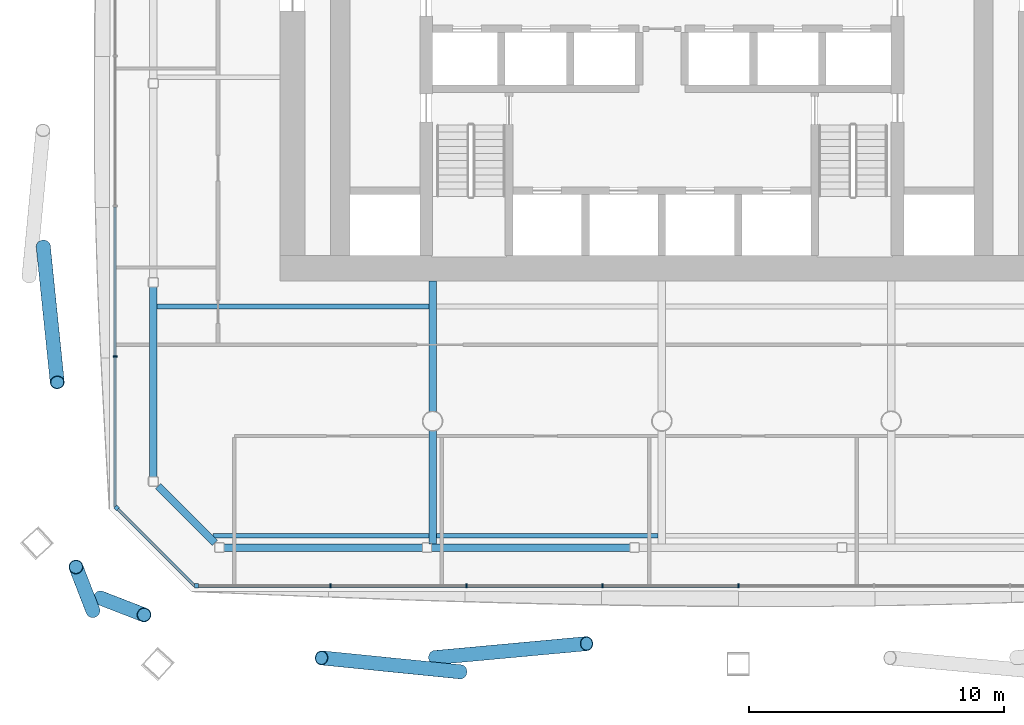
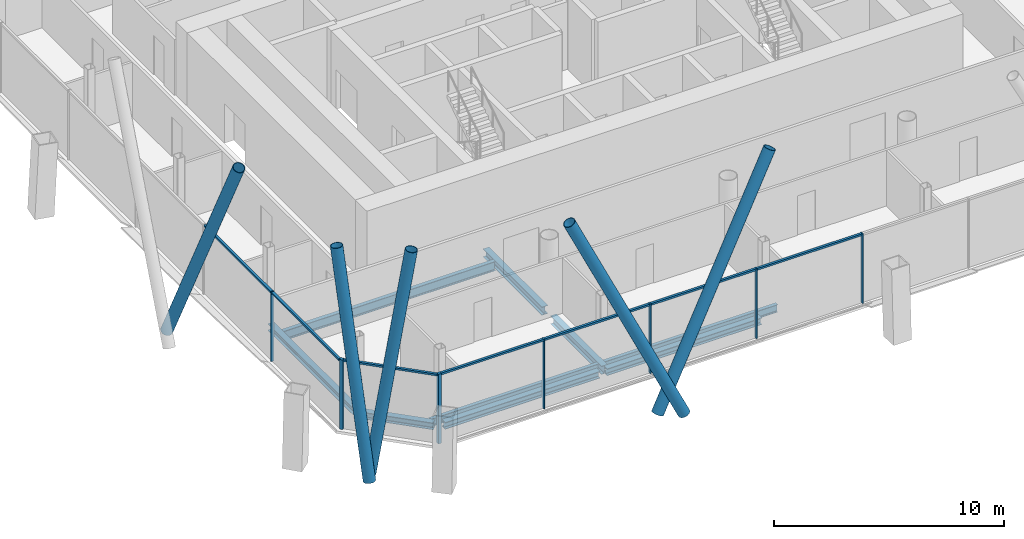
# One storey, part 3 of 22: 19 members, 9 beams, 3 elements without a shape of their own.
"""IFC4 building model written with IfcOpenShell, lengths in metres."""

from ifc_helpers import new_model, si_unit, direction, frame, origin, origin_2d, place, context, subcontext, project, spatial, rectangle, hollow_circle, i_section, extrude, material, material_profile, profile_set, type_object, element, aggregate, save


model = new_model("IFC4")

# Units and contexts
model_context = context("Model", 3, precision=1e-05, world=origin(), true_north=direction((0.0, 1.0)))
body_context = subcontext(model_context, "Body", "Model", "MODEL_VIEW")
ifc_project = project(units=[si_unit("LENGTHUNIT", "METRE"), si_unit("AREAUNIT", "SQUARE_METRE"), si_unit("VOLUMEUNIT", "CUBIC_METRE"), si_unit("PLANEANGLEUNIT", "RADIAN"), si_unit("MASSUNIT", "GRAM", prefix="KILO")], contexts=[model_context])

# Site, building, storey
site_placement = place(None, origin())
site = spatial("IfcSite", under=ifc_project, at=site_placement, CompositionType="ELEMENT")
building_placement = place(site_placement, origin())
building = spatial("IfcBuilding", under=site, at=building_placement, Name="Tskaro Facet Tower", CompositionType="ELEMENT")
storey_placement = place(building_placement, frame((0.0, 0.0, 85.5)))
storey = spatial("IfcBuildingStorey", under=building, at=storey_placement, Name="L20", CompositionType="ELEMENT", Elevation=85.5)

# Members
ifc_material_1 = material(Name="Steel S355J2H", Category="steel")
ifc_material_profile_1 = material_profile(ifc_material_1, hollow_circle(Radius=0.279541015625, WallThickness=0.02490234375, at=origin_2d()), Name="CHS 559x25")
ifc_profile_set_1 = profile_set([ifc_material_profile_1], Name="Steel S355J2H")
member_type_1 = type_object("IfcMemberType", Name="CHS 559x25 brace", PredefinedType="BRACE", material=ifc_profile_set_1)
member_1_placement = place(storey_placement, frame((-8.907958984375, -27.283447265625, 0.0), z_axis=(0.453138503043, 0.041696100415, 0.890464447505), x_axis=(-0.091629144375, 0.995793201373, 0.0)))
element("IfcMember", 1, at=member_1_placement, inside=storey, type_object=member_type_1, Name="CHS 559x25 XB01A/2", PredefinedType="BRACE", context=body_context, shape_type="SweptSolid", body=[
    extrude(hollow_circle(Radius=0.279541015625, WallThickness=0.02490234375, at=origin_2d()), origin(), (0.0, 0.0, 1.0), 13.13916015625),
])
member_2_placement = place(storey_placement, frame((-7.907470703125, -27.842529296875, 0.0), z_axis=(-0.422115796899, 0.042421324322, 0.905548830959), x_axis=(-0.099993210447, -0.994988119459, 0.0)))
element("IfcMember", 2, at=member_2_placement, inside=storey, type_object=member_type_1, Name="CHS 559x25 XB01B/2", PredefinedType="BRACE", context=body_context, shape_type="SweptSolid", body=[
    extrude(hollow_circle(Radius=0.279541015625, WallThickness=0.02490234375, at=origin_2d()), origin(), (0.0, 0.0, 1.0), 12.920166015625),
])
member_3_placement = place(storey_placement, frame((-24.283447265625, -11.146484375, 0.0), z_axis=(0.042567326105, -0.414462347628, 0.909070396145), x_axis=(0.994767210337, 0.102167495995, 0.0)))
element("IfcMember", 3, at=member_3_placement, inside=storey, type_object=member_type_1, Name="CHS 559x25 XB11A/2", PredefinedType="BRACE", context=body_context, shape_type="SweptSolid", body=[
    extrude(hollow_circle(Radius=0.279541015625, WallThickness=0.02490234375, at=origin_2d()), origin(), (0.0, 0.0, 1.0), 12.8701171875),
])
for number, where, z_axis, x_axis, name in (
    (4, (-22.039306640625, -24.94384765625, 0.0), (0.144468830784, -0.055969303022, 0.987925196587), (0.36125165478, 0.932468359741, 0.0), "CHS 559x25 XB12A/2"),
    (5, (-22.339111328125, -25.4345703125, 0.0), (-0.055969303022, 0.144468830784, 0.987925196587), (-0.932468359741, -0.36125165478, 0.0), "CHS 559x25 XB12B/2"),
):
    element("IfcMember", number, at=place(storey_placement, frame(where, z_axis=z_axis, x_axis=x_axis)), inside=storey, type_object=member_type_1, Name=name, PredefinedType="BRACE", context=body_context, shape_type="SweptSolid", body=[
        extrude(hollow_circle(Radius=0.279541015625, WallThickness=0.02490234375, at=origin_2d()), origin(), (0.0, 0.0, 1.0), 11.843017578125),
    ])

# Curtain wall, member
ifc_material_2 = material(Name="Bronze anodised aluminium 6063-T6", Category="aluminium")
curtain_wall_type = type_object("IfcCurtainWallType", Name="Bronze office curtain wall (FW1)", PredefinedType="NOTDEFINED", material=ifc_material_2)
curtain_wall_1_placement = place(storey_placement, origin())
curtain_wall_1 = element("IfcCurtainWall", 6, at=curtain_wall_1_placement, inside=storey, type_object=curtain_wall_type, Name="FW1 south facet L20", PredefinedType="NOTDEFINED")
ifc_material_profile_2 = material_profile(ifc_material_2, rectangle(XDim=0.159912109375, YDim=0.159912109375, at=origin_2d()), Name="Corner post 160x160")
ifc_profile_set_2 = profile_set([ifc_material_profile_2], Name="Bronze anodised aluminium 6063-T6")
member_type_2 = type_object("IfcMemberType", Name="FW1 bronze corner post 160x160", PredefinedType="MULLION", material=ifc_profile_set_2)
member_4_placement = place(storey_placement, frame((-18.26806640625, -24.462890625, 0.0), z_axis=(0.0, 0.0, 1.0), x_axis=(1.0, 0.0, 0.0)))
member_4 = element("IfcMember", 7, at=member_4_placement, type_object=member_type_2, Name="FW1 south corner post", PredefinedType="MULLION", context=body_context, shape_type="SweptSolid", body=[
    extrude(rectangle(XDim=0.159912109375, YDim=0.159912109375, at=origin_2d()), origin(), (0.0, 0.0, 1.0), 3.699951171875),
])

curtain_wall_2_placement = place(storey_placement, origin())
curtain_wall_2 = element("IfcCurtainWall", 8, at=curtain_wall_2_placement, inside=storey, type_object=curtain_wall_type, Name="FW1 south-west facet L20", PredefinedType="NOTDEFINED")
member_5_placement = place(storey_placement, frame((-21.406494140625, -21.404541015625, 0.0), z_axis=(0.0, 0.0, 1.0), x_axis=(0.707106781187, -0.707106781187, 0.0)))
member_5 = element("IfcMember", 9, at=member_5_placement, type_object=member_type_2, Name="FW1 south-west corner post", PredefinedType="MULLION", context=body_context, shape_type="SweptSolid", body=[
    extrude(rectangle(XDim=0.159912109375, YDim=0.159912109375, at=origin_2d()), origin(), (0.0, 0.0, 1.0), 3.699951171875),
])

# Member
ifc_material_profile_3 = material_profile(ifc_material_2, rectangle(XDim=0.06005859375, YDim=0.159912109375, at=origin_2d()), Name="Mullion 60x160")
ifc_profile_set_3 = profile_set([ifc_material_profile_3], Name="Bronze anodised aluminium 6063-T6")
member_type_3 = type_object("IfcMemberType", Name="FW1 bronze mullion 60x160", PredefinedType="MULLION", material=ifc_profile_set_3)
member_6_placement = place(storey_placement, frame((-13.010986328125, -24.462890625, 0.0), z_axis=(0.0, 0.0, 1.0), x_axis=(1.0, 0.0, 0.0)))
member_6 = element("IfcMember", 10, at=member_6_placement, type_object=member_type_3, Name="FW1 south mullion 1", PredefinedType="MULLION", context=body_context, shape_type="SweptSolid", body=[
    extrude(rectangle(XDim=0.06005859375, YDim=0.159912109375, at=origin_2d()), origin(), (0.0, 0.0, 1.0), 3.699951171875),
])

member_7_placement = place(storey_placement, frame((-7.674072265625, -24.462890625, 0.0), z_axis=(0.0, 0.0, 1.0), x_axis=(1.0, 0.0, 0.0)))
member_7 = element("IfcMember", 11, at=member_7_placement, type_object=member_type_3, Name="FW1 south mullion 2", PredefinedType="MULLION", context=body_context, shape_type="SweptSolid", body=[
    extrude(rectangle(XDim=0.06005859375, YDim=0.159912109375, at=origin_2d()), origin(), (0.0, 0.0, 1.0), 3.699951171875),
])

member_8_placement = place(storey_placement, frame((-2.3369140625, -24.462890625, 0.0), z_axis=(0.0, 0.0, 1.0), x_axis=(1.0, 0.0, 0.0)))
member_8 = element("IfcMember", 12, at=member_8_placement, type_object=member_type_3, Name="FW1 south mullion 3", PredefinedType="MULLION", context=body_context, shape_type="SweptSolid", body=[
    extrude(rectangle(XDim=0.06005859375, YDim=0.159912109375, at=origin_2d()), origin(), (0.0, 0.0, 1.0), 3.699951171875),
])

member_9_placement = place(storey_placement, frame((3.0, -24.462890625, 0.0), z_axis=(0.0, 0.0, 1.0), x_axis=(1.0, 0.0, 0.0)))
member_9 = element("IfcMember", 13, at=member_9_placement, type_object=member_type_3, Name="FW1 south mullion 4", PredefinedType="MULLION", context=body_context, shape_type="SweptSolid", body=[
    extrude(rectangle(XDim=0.06005859375, YDim=0.159912109375, at=origin_2d()), origin(), (0.0, 0.0, 1.0), 3.699951171875),
])

# Curtain wall, member
curtain_wall_3_placement = place(storey_placement, origin())
curtain_wall_3 = element("IfcCurtainWall", 14, at=curtain_wall_3_placement, inside=storey, type_object=curtain_wall_type, Name="FW1 west facet L20", PredefinedType="NOTDEFINED")
member_10_placement = place(storey_placement, frame((-21.462890625, -15.45361328125, 0.0), z_axis=(0.0, 0.0, 1.0), x_axis=(0.0, -1.0, 0.0)))
member_10 = element("IfcMember", 15, at=member_10_placement, type_object=member_type_3, Name="FW1 west mullion 6", PredefinedType="MULLION", context=body_context, shape_type="SweptSolid", body=[
    extrude(rectangle(XDim=0.06005859375, YDim=0.159912109375, at=origin_2d()), origin(), (0.0, 0.0, 1.0), 3.699951171875),
])

# Member
ifc_material_profile_4 = material_profile(ifc_material_2, rectangle(XDim=0.1201171875, YDim=0.10009765625, at=origin_2d()), Name="Transom 120x100")
ifc_profile_set_4 = profile_set([ifc_material_profile_4], Name="Bronze anodised aluminium 6063-T6")
member_type_4 = type_object("IfcMemberType", Name="FW1 bronze transom 120x100", PredefinedType="USERDEFINED", material=ifc_profile_set_4)
member_11_placement = place(storey_placement, frame((-18.18798828125, -24.462890625, 3.64990234375), z_axis=(1.0, 0.0, 0.0), x_axis=(0.0, 1.0, 0.0)))
member_11 = element("IfcMember", 16, at=member_11_placement, type_object=member_type_4, Name="FW1 south transom 1.1", ObjectType="TRANSOM", PredefinedType="USERDEFINED", context=body_context, shape_type="SweptSolid", body=[
    extrude(rectangle(XDim=0.1201171875, YDim=0.10009765625, at=origin_2d()), origin(), (0.0, 0.0, 1.0), 5.14697265625),
])

member_12_placement = place(storey_placement, frame((-12.98095703125, -24.462890625, 3.64990234375), z_axis=(1.0, 0.0, 0.0), x_axis=(0.0, 1.0, 0.0)))
member_12 = element("IfcMember", 17, at=member_12_placement, type_object=member_type_4, Name="FW1 south transom 2.1", ObjectType="TRANSOM", PredefinedType="USERDEFINED", context=body_context, shape_type="SweptSolid", body=[
    extrude(rectangle(XDim=0.1201171875, YDim=0.10009765625, at=origin_2d()), origin(), (0.0, 0.0, 1.0), 5.27685546875),
])

member_13_placement = place(storey_placement, frame((-7.64404296875, -24.462890625, 3.64990234375), z_axis=(1.0, 0.0, 0.0), x_axis=(0.0, 1.0, 0.0)))
member_13 = element("IfcMember", 18, at=member_13_placement, type_object=member_type_4, Name="FW1 south transom 3.1", ObjectType="TRANSOM", PredefinedType="USERDEFINED", context=body_context, shape_type="SweptSolid", body=[
    extrude(rectangle(XDim=0.1201171875, YDim=0.10009765625, at=origin_2d()), origin(), (0.0, 0.0, 1.0), 5.277099609375),
])

member_14_placement = place(storey_placement, frame((-2.306884765625, -24.462890625, 3.64990234375), z_axis=(1.0, 0.0, 0.0), x_axis=(0.0, 1.0, 0.0)))
member_14 = element("IfcMember", 19, at=member_14_placement, type_object=member_type_4, Name="FW1 south transom 4.1", ObjectType="TRANSOM", PredefinedType="USERDEFINED", context=body_context, shape_type="SweptSolid", body=[
    extrude(rectangle(XDim=0.1201171875, YDim=0.10009765625, at=origin_2d()), origin(), (0.0, 0.0, 1.0), 5.27685546875),
])

aggregate(curtain_wall_1, [member_4, member_6, member_7, member_8, member_9, member_11, member_12, member_13, member_14])

member_15_placement = place(storey_placement, frame((-21.462890625, -9.589111328125, 3.64990234375), z_axis=(0.0, -1.0, 0.0), x_axis=(1.0, 0.0, 0.0)))
member_15 = element("IfcMember", 20, at=member_15_placement, type_object=member_type_4, Name="FW1 west transom 6.1", ObjectType="TRANSOM", PredefinedType="USERDEFINED", context=body_context, shape_type="SweptSolid", body=[
    extrude(rectangle(XDim=0.1201171875, YDim=0.10009765625, at=origin_2d()), origin(), (0.0, 0.0, 1.0), 5.83447265625),
])

member_16_placement = place(storey_placement, frame((-21.462890625, -15.483642578125, 3.64990234375), z_axis=(0.0, -1.0, 0.0), x_axis=(1.0, 0.0, 0.0)))
member_16 = element("IfcMember", 21, at=member_16_placement, type_object=member_type_4, Name="FW1 west transom 7.1", ObjectType="TRANSOM", PredefinedType="USERDEFINED", context=body_context, shape_type="SweptSolid", body=[
    extrude(rectangle(XDim=0.1201171875, YDim=0.10009765625, at=origin_2d()), origin(), (0.0, 0.0, 1.0), 5.8642578125),
])

aggregate(curtain_wall_3, [member_10, member_15, member_16])

member_17_placement = place(storey_placement, frame((-21.349853515625, -21.461181640625, 3.64990234375), z_axis=(0.7071355353, -0.707078025904, 0.0), x_axis=(0.707078025904, 0.7071355353, 0.0)))
member_17 = element("IfcMember", 22, at=member_17_placement, type_object=member_type_4, Name="FW1 south-west transom 1.1", ObjectType="TRANSOM", PredefinedType="USERDEFINED", context=body_context, shape_type="SweptSolid", body=[
    extrude(rectangle(XDim=0.1201171875, YDim=0.10009765625, at=origin_2d()), origin(), (0.0, 0.0, 1.0), 4.2451171875),
])

aggregate(curtain_wall_2, [member_5, member_17])

# Beams
ifc_material_3 = material(Name="Steel S355J2", Category="steel")
ifc_material_profile_5 = material_profile(ifc_material_3, i_section(OverallWidth=0.300048828125, OverallDepth=0.360107421875, WebThickness=0.012451171875, FlangeThickness=0.0224609375, FilletRadius=0.027099609375, at=origin_2d()), Name="HE 360 B")
ifc_profile_set_5 = profile_set([ifc_material_profile_5], Name="Steel S355J2")
beam_type_1 = type_object("IfcBeamType", Name="HE 360 B ring beam", PredefinedType="BEAM", material=ifc_profile_set_5)
beam_1_placement = place(storey_placement, frame((-17.18408203125, -22.965087890625, -0.320068359375), z_axis=(1.0, 0.0, 0.0), x_axis=(0.0, 1.0, 0.0)))
element("IfcBeam", 23, at=beam_1_placement, inside=storey, type_object=beam_type_1, Name="HE 360 B EB1-2", PredefinedType="BEAM", context=body_context, shape_type="SweptSolid", body=[
    extrude(i_section(OverallWidth=0.300048828125, OverallDepth=0.360107421875, WebThickness=0.012451171875, FlangeThickness=0.0224609375, FilletRadius=0.027099609375, at=origin_2d()), origin(), (0.0, 0.0, 1.0), 7.7861328125),
])
beam_2_placement = place(storey_placement, frame((-9.0380859375, -22.965087890625, -0.320068359375), z_axis=(1.0, 0.0, 0.0), x_axis=(0.0, 1.0, 0.0)))
element("IfcBeam", 24, at=beam_2_placement, inside=storey, type_object=beam_type_1, Name="HE 360 B EB2-2", PredefinedType="BEAM", context=body_context, shape_type="SweptSolid", body=[
    extrude(i_section(OverallWidth=0.300048828125, OverallDepth=0.360107421875, WebThickness=0.012451171875, FlangeThickness=0.0224609375, FilletRadius=0.027099609375, at=origin_2d()), origin(), (0.0, 0.0, 1.0), 7.78515625),
])
beam_3_placement = place(storey_placement, frame((-19.965087890625, -12.73291015625, -0.320068359375), z_axis=(0.0, -1.0, 0.0), x_axis=(1.0, 0.0, 0.0)))
element("IfcBeam", 25, at=beam_3_placement, inside=storey, type_object=beam_type_1, Name="HE 360 B EB23-2", PredefinedType="BEAM", context=body_context, shape_type="SweptSolid", body=[
    extrude(i_section(OverallWidth=0.300048828125, OverallDepth=0.360107421875, WebThickness=0.012451171875, FlangeThickness=0.0224609375, FilletRadius=0.027099609375, at=origin_2d()), origin(), (0.0, 0.0, 1.0), 7.451171875),
])
beam_4_placement = place(storey_placement, frame((-19.779052734375, -20.5498046875, -0.320068359375), z_axis=(0.707106781187, -0.707106781187, 0.0), x_axis=(0.707106781187, 0.707106781187, 0.0)))
element("IfcBeam", 26, at=beam_4_placement, inside=storey, type_object=beam_type_1, Name="HE 360 B EB24-2", PredefinedType="BEAM", context=body_context, shape_type="SweptSolid", body=[
    extrude(i_section(OverallWidth=0.300048828125, OverallDepth=0.360107421875, WebThickness=0.012451171875, FlangeThickness=0.0224609375, FilletRadius=0.027099609375, at=origin_2d()), origin(), (0.0, 0.0, 1.0), 3.152587890625),
])
ifc_material_profile_6 = material_profile(ifc_material_3, i_section(OverallWidth=0.300048828125, OverallDepth=0.43994140625, WebThickness=0.011474609375, FlangeThickness=0.02099609375, FilletRadius=0.027099609375, at=origin_2d()), Name="HE 450 A")
ifc_profile_set_6 = profile_set([ifc_material_profile_6], Name="Steel S355J2")
beam_type_2 = type_object("IfcBeamType", Name="HE 450 A girder", PredefinedType="BEAM", material=ifc_profile_set_6)
beam_5_placement = place(storey_placement, frame((-9.0, -22.81494140625, -0.360107421875), z_axis=(0.0, 1.0, 0.0), x_axis=(-1.0, 0.0, 0.0)))
element("IfcBeam", 27, at=beam_5_placement, inside=storey, type_object=beam_type_2, Name="HE 450 A GB3-1-2", PredefinedType="BEAM", context=body_context, shape_type="SweptSolid", body=[
    extrude(i_section(OverallWidth=0.300048828125, OverallDepth=0.43994140625, WebThickness=0.011474609375, FlangeThickness=0.02099609375, FilletRadius=0.027099609375, at=origin_2d()), origin(), (0.0, 0.0, 1.0), 4.4384765625),
])
beam_6_placement = place(storey_placement, frame((-9.0, -17.62353515625, -0.360107421875), z_axis=(0.0, 1.0, 0.0), x_axis=(-1.0, 0.0, 0.0)))
element("IfcBeam", 28, at=beam_6_placement, inside=storey, type_object=beam_type_2, Name="HE 450 A GB3-2-2", PredefinedType="BEAM", context=body_context, shape_type="SweptSolid", body=[
    extrude(i_section(OverallWidth=0.300048828125, OverallDepth=0.43994140625, WebThickness=0.011474609375, FlangeThickness=0.02099609375, FilletRadius=0.027099609375, at=origin_2d()), origin(), (0.0, 0.0, 1.0), 5.12353515625),
])
ifc_material_profile_7 = material_profile(ifc_material_3, i_section(OverallWidth=0.179931640625, OverallDepth=0.39990234375, WebThickness=0.008544921875, FlangeThickness=0.013427734375, FilletRadius=0.02099609375, at=origin_2d()), Name="IPE 400")
ifc_profile_set_7 = profile_set([ifc_material_profile_7], Name="Steel S355J2")
beam_type_3 = type_object("IfcBeamType", Name="IPE 400 secondary beam", PredefinedType="BEAM", material=ifc_profile_set_7)
beam_7_placement = place(storey_placement, frame((-17.616943359375, -22.5, -0.340087890625), z_axis=(1.0, 0.0, 0.0), x_axis=(0.0, 1.0, 0.0)))
element("IfcBeam", 29, at=beam_7_placement, inside=storey, type_object=beam_type_3, Name="IPE 400 SB1a-1-2", PredefinedType="BEAM", context=body_context, shape_type="SweptSolid", body=[
    extrude(i_section(OverallWidth=0.179931640625, OverallDepth=0.39990234375, WebThickness=0.008544921875, FlangeThickness=0.013427734375, FilletRadius=0.02099609375, at=origin_2d()), origin(), (0.0, 0.0, 1.0), 8.467041015625),
])
beam_8_placement = place(storey_placement, frame((-8.85009765625, -22.5, -0.340087890625), z_axis=(1.0, 0.0, 0.0), x_axis=(0.0, 1.0, 0.0)))
element("IfcBeam", 30, at=beam_8_placement, inside=storey, type_object=beam_type_3, Name="IPE 400 SB1a-2-2", PredefinedType="BEAM", context=body_context, shape_type="SweptSolid", body=[
    extrude(i_section(OverallWidth=0.179931640625, OverallDepth=0.39990234375, WebThickness=0.008544921875, FlangeThickness=0.013427734375, FilletRadius=0.02099609375, at=origin_2d()), origin(), (0.0, 0.0, 1.0), 8.7001953125),
])
ifc_material_profile_8 = material_profile(ifc_material_3, i_section(OverallWidth=0.199951171875, OverallDepth=0.5, WebThickness=0.01025390625, FlangeThickness=0.01611328125, FilletRadius=0.02099609375, at=origin_2d()), Name="IPE 500")
ifc_profile_set_8 = profile_set([ifc_material_profile_8], Name="Steel S355J2")
beam_type_4 = type_object("IfcBeamType", Name="IPE 500 long secondary beam", PredefinedType="BEAM", material=ifc_profile_set_8)
beam_9_placement = place(storey_placement, frame((-19.81494140625, -13.5, -0.389892578125), z_axis=(1.0, 0.0, 0.0), x_axis=(0.0, 1.0, 0.0)))
element("IfcBeam", 31, at=beam_9_placement, inside=storey, type_object=beam_type_4, Name="IPE 500 LSB2a-1-2", PredefinedType="BEAM", context=body_context, shape_type="SweptSolid", body=[
    extrude(i_section(OverallWidth=0.199951171875, OverallDepth=0.5, WebThickness=0.01025390625, FlangeThickness=0.01611328125, FilletRadius=0.02099609375, at=origin_2d()), origin(), (0.0, 0.0, 1.0), 10.6650390625),
])

save(model, "model.ifc")
